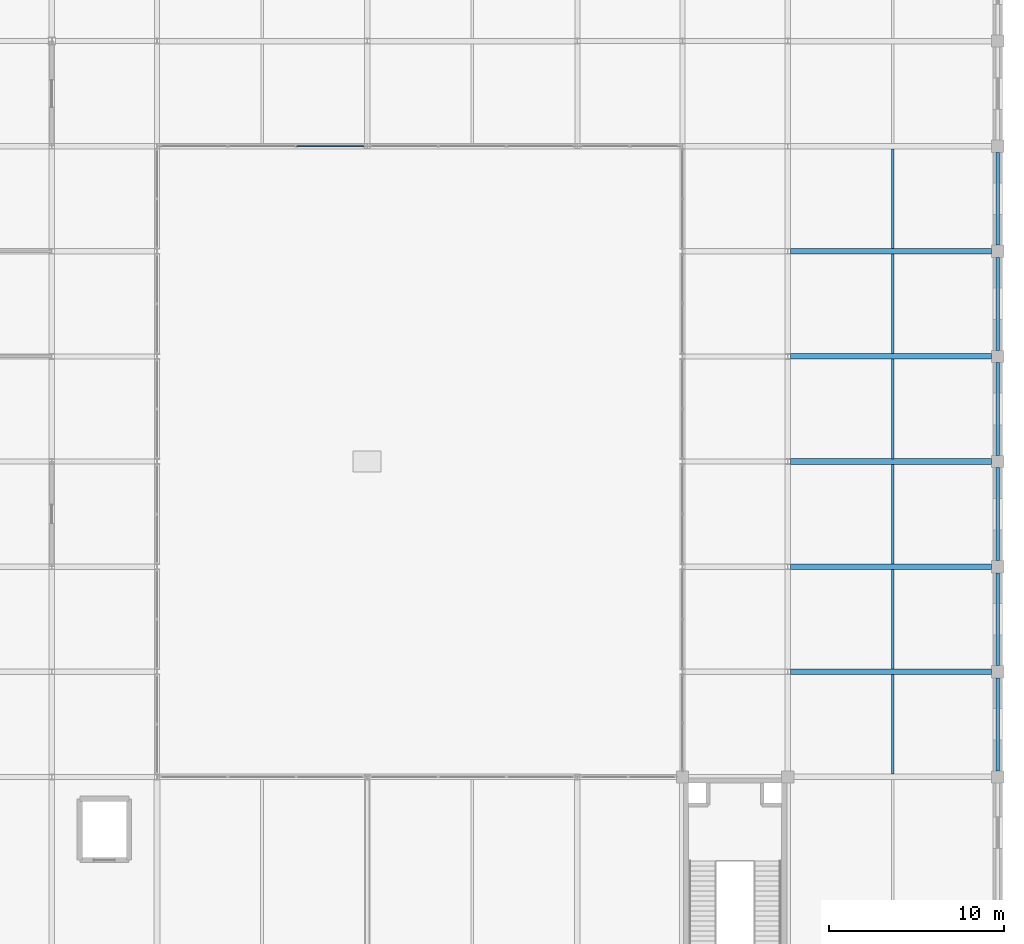
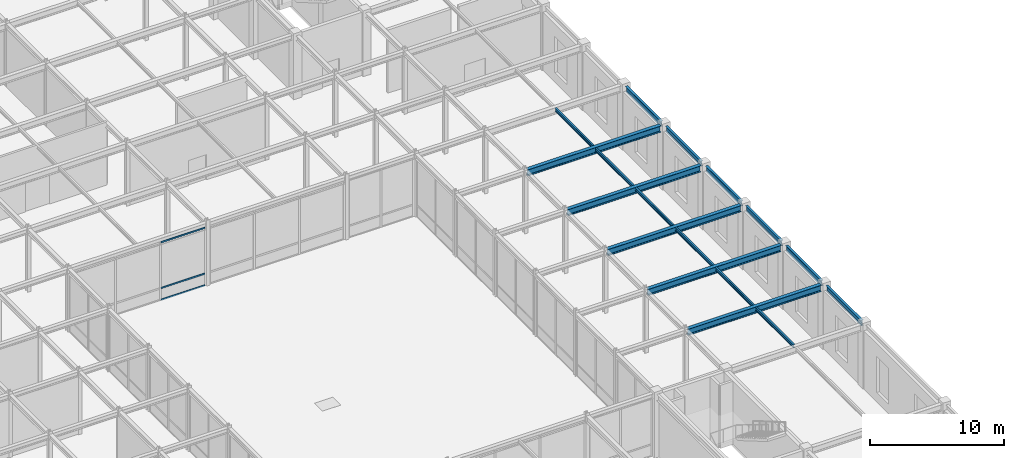
# One storey, part 88 of 108: 17 beams, 3 members, 1 element without a shape of its own.
"""IFC4 building model written with IfcOpenShell, lengths in metres."""

from ifc_helpers import new_model, si_unit, direction, frame, origin, origin_2d, place, context, subcontext, project, spatial, hollow_rectangle, i_section, extrude, material, layer, layer_set, material_profile, profile_set, type_object, element, aggregate, save


model = new_model("IFC4")

# Units and contexts
model_context = context("Model", 3, precision=1e-05, world=origin(), true_north=direction((0.0, 1.0)))
body_context = subcontext(model_context, "Body", "Model", "MODEL_VIEW")
ifc_project = project(units=[si_unit("LENGTHUNIT", "METRE"), si_unit("AREAUNIT", "SQUARE_METRE"), si_unit("VOLUMEUNIT", "CUBIC_METRE"), si_unit("PLANEANGLEUNIT", "RADIAN"), si_unit("MASSUNIT", "GRAM", prefix="KILO")], contexts=[model_context])

# Site, building, storey
site_placement = place(None, origin())
site = spatial("IfcSite", under=ifc_project, at=site_placement, CompositionType="ELEMENT")
building_placement = place(site_placement, origin())
building = spatial("IfcBuilding", under=site, at=building_placement, Name="Zlatovratsky Civic Hall", CompositionType="ELEMENT")
storey_placement = place(building_placement, frame((0.0, 0.0, 6.0)))
storey = spatial("IfcBuildingStorey", under=building, at=storey_placement, Name="L02", CompositionType="ELEMENT", Elevation=6.0)

# Beams
ifc_material_1 = material(Name="Steel S355", Category="steel")
ifc_material_profile_1 = material_profile(ifc_material_1, i_section(OverallWidth=0.320068359375, OverallDepth=0.58203125, WebThickness=0.011962890625, FlangeThickness=0.01708984375, FilletRadius=0.02392578125, at=origin_2d()), Name="60Sh1")
ifc_profile_set_1 = profile_set([ifc_material_profile_1], Name="Steel S355")
beam_type_1 = type_object("IfcBeamType", Name="Beam_PodiumGirder_60Sh1", PredefinedType="BEAM", material=ifc_profile_set_1)
for number, where, z_axis, x_axis, name in (
    (1, (156.14990234375, 36.0, 5.468994140625), (1.0, 0.0, 0.0), (0.0, 1.0, 0.0), "BM-1816"),
    (2, (156.14990234375, 42.0, 5.468994140625), (1.0, 0.0, 0.0), (0.0, 1.0, 0.0), "BM-1832"),
    (3, (156.14990234375, 48.0, 5.468994140625), (1.0, 0.0, 0.0), (0.0, 1.0, 0.0), "BM-1848"),
    (4, (156.14990234375, 54.0, 5.468994140625), (1.0, 0.0, 0.0), (0.0, 1.0, 0.0), "BM-1858"),
    (5, (156.14990234375, 60.0, 5.468994140625), (1.0, 0.0, 0.0), (0.0, 1.0, 0.0), "BM-1868"),
):
    element("IfcBeam", number, at=place(storey_placement, frame(where, z_axis=z_axis, x_axis=x_axis)), inside=storey, type_object=beam_type_1, Name=name, PredefinedType="BEAM", context=body_context, shape_type="SweptSolid", body=[
        extrude(i_section(OverallWidth=0.320068359375, OverallDepth=0.58203125, WebThickness=0.011962890625, FlangeThickness=0.01708984375, FilletRadius=0.02392578125, at=origin_2d()), origin(), (0.0, 0.0, 1.0), 11.5),
    ])
ifc_material_profile_2 = material_profile(ifc_material_1, i_section(OverallWidth=0.198974609375, OverallDepth=0.491943359375, WebThickness=0.0087890625, FlangeThickness=0.011962890625, FilletRadius=0.01611328125, at=origin_2d()), Name="50B1")
ifc_profile_set_2 = profile_set([ifc_material_profile_2], Name="Steel S355")
beam_type_2 = type_object("IfcBeamType", Name="Beam_Spandrel_50B1", PredefinedType="SPANDREL", material=ifc_profile_set_2)
for number, where, z_axis, x_axis, name in (
    (6, (168.0, 30.35009765625, 5.513916015625), (0.0, 1.0, 0.0), (-1.0, 0.0, 0.0), "BM-2375"),
    (7, (168.0, 36.35009765625, 5.513916015625), (0.0, 1.0, 0.0), (-1.0, 0.0, 0.0), "BM-2376"),
    (8, (168.0, 42.35009765625, 5.513916015625), (0.0, 1.0, 0.0), (-1.0, 0.0, 0.0), "BM-2377"),
    (9, (168.0, 48.35009765625, 5.513916015625), (0.0, 1.0, 0.0), (-1.0, 0.0, 0.0), "BM-2378"),
    (10, (168.0, 54.35009765625, 5.513916015625), (0.0, 1.0, 0.0), (-1.0, 0.0, 0.0), "BM-2379"),
    (11, (168.0, 60.35009765625, 5.513916015625), (0.0, 1.0, 0.0), (-1.0, 0.0, 0.0), "BM-2380"),
):
    element("IfcBeam", number, at=place(storey_placement, frame(where, z_axis=z_axis, x_axis=x_axis)), inside=storey, type_object=beam_type_2, Name=name, PredefinedType="SPANDREL", context=body_context, shape_type="SweptSolid", body=[
        extrude(i_section(OverallWidth=0.198974609375, OverallDepth=0.491943359375, WebThickness=0.0087890625, FlangeThickness=0.011962890625, FilletRadius=0.01611328125, at=origin_2d()), origin(), (0.0, 0.0, 1.0), 5.2998046875),
    ])

# Curtain wall, members
ifc_material_2 = material(Name="Anodised bronze aluminium", Category="aluminium")
ifc_layer = layer(ifc_material_2, 0.159912109375)
ifc_layer_set = layer_set([ifc_layer], Name="Anodised bronze aluminium")
curtain_wall_type = type_object("IfcCurtainWallType", Name="CurtainWall_Bronze_11700x5310_05", PredefinedType="NOTDEFINED", material=ifc_layer_set)
curtain_wall_placement = place(storey_placement, origin())
curtain_wall = element("IfcCurtainWall", 12, at=curtain_wall_placement, inside=storey, type_object=curtain_wall_type, Name="CW-030", PredefinedType="NOTDEFINED")
ifc_material_profile_3 = material_profile(ifc_material_2, hollow_rectangle(XDim=0.06005859375, YDim=0.139892578125, WallThickness=0.00390625, at=origin_2d()), Name="ALU 60x140x4")
ifc_profile_set_3 = profile_set([ifc_material_profile_3], Name="Anodised bronze aluminium")
member_type = type_object("IfcMemberType", Name="CW_Transom_60x140", PredefinedType="USERDEFINED", material=ifc_profile_set_3)
member_1_placement = place(storey_placement, frame((127.97998046875, 66.0, 0.030029296875), z_axis=(1.0, 0.0, 0.0), x_axis=(0.0, 1.0, 0.0)))
member_1 = element("IfcMember", 13, at=member_1_placement, type_object=member_type, Name="CW-05 transom 3.1", ObjectType="TRANSOM", PredefinedType="USERDEFINED", context=body_context, shape_type="SweptSolid", body=[
    extrude(hollow_rectangle(XDim=0.06005859375, YDim=0.139892578125, WallThickness=0.00390625, at=origin_2d()), origin(), (0.0, 0.0, 1.0), 3.81005859375),
])
member_2_placement = place(storey_placement, frame((127.97998046875, 66.0, 1.10009765625), z_axis=(1.0, 0.0, 0.0), x_axis=(0.0, 1.0, 0.0)))
member_2 = element("IfcMember", 14, at=member_2_placement, type_object=member_type, Name="CW-05 transom 3.2", ObjectType="TRANSOM", PredefinedType="USERDEFINED", context=body_context, shape_type="SweptSolid", body=[
    extrude(hollow_rectangle(XDim=0.06005859375, YDim=0.139892578125, WallThickness=0.00390625, at=origin_2d()), origin(), (0.0, 0.0, 1.0), 3.81005859375),
])
member_3_placement = place(storey_placement, frame((127.97998046875, 66.0, 5.280029296875), z_axis=(1.0, 0.0, 0.0), x_axis=(0.0, 1.0, 0.0)))
member_3 = element("IfcMember", 15, at=member_3_placement, type_object=member_type, Name="CW-05 transom 3.3", ObjectType="TRANSOM", PredefinedType="USERDEFINED", context=body_context, shape_type="SweptSolid", body=[
    extrude(hollow_rectangle(XDim=0.06005859375, YDim=0.139892578125, WallThickness=0.00390625, at=origin_2d()), origin(), (0.0, 0.0, 1.0), 3.81005859375),
])
aggregate(curtain_wall, [member_1, member_2, member_3])

# Beams
ifc_material_profile_4 = material_profile(ifc_material_1, i_section(OverallWidth=0.14990234375, OverallDepth=0.300048828125, WebThickness=0.006591796875, FlangeThickness=0.009033203125, FilletRadius=0.012939453125, at=origin_2d()), Name="30B2")
ifc_profile_set_4 = profile_set([ifc_material_profile_4], Name="Steel S355")
beam_type_3 = type_object("IfcBeamType", Name="Joist_Podium_30B2", PredefinedType="JOIST", material=ifc_profile_set_4)
for number, where, z_axis, x_axis, name in (
    (16, (162.0, 30.159912109375, 5.610107421875), (0.0, 1.0, 0.0), (-1.0, 0.0, 0.0), "BM-2408"),
    (17, (162.0, 36.159912109375, 5.610107421875), (0.0, 1.0, 0.0), (-1.0, 0.0, 0.0), "BM-2410"),
    (18, (162.0, 42.159912109375, 5.610107421875), (0.0, 1.0, 0.0), (-1.0, 0.0, 0.0), "BM-2412"),
    (19, (162.0, 48.159912109375, 5.610107421875), (0.0, 1.0, 0.0), (-1.0, 0.0, 0.0), "BM-2414"),
    (20, (162.0, 54.159912109375, 5.610107421875), (0.0, 1.0, 0.0), (-1.0, 0.0, 0.0), "BM-2416"),
    (21, (162.0, 60.159912109375, 5.610107421875), (0.0, 1.0, 0.0), (-1.0, 0.0, 0.0), "BM-2418"),
):
    element("IfcBeam", number, at=place(storey_placement, frame(where, z_axis=z_axis, x_axis=x_axis)), inside=storey, type_object=beam_type_3, Name=name, PredefinedType="JOIST", context=body_context, shape_type="SweptSolid", body=[
        extrude(i_section(OverallWidth=0.14990234375, OverallDepth=0.300048828125, WebThickness=0.006591796875, FlangeThickness=0.009033203125, FilletRadius=0.012939453125, at=origin_2d()), origin(), (0.0, 0.0, 1.0), 5.68017578125),
    ])

save(model, "model.ifc")
